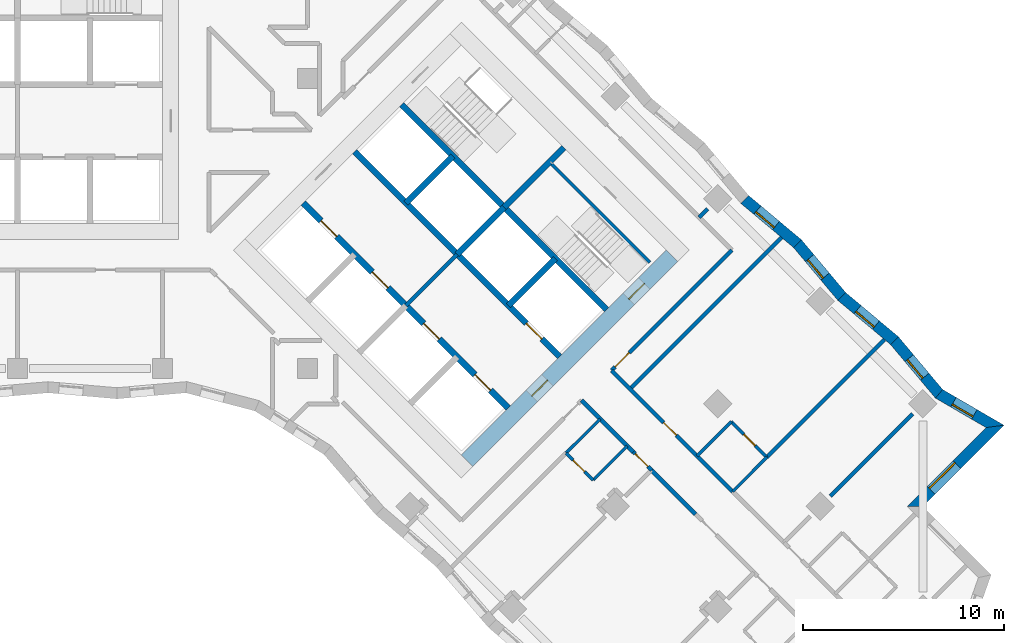
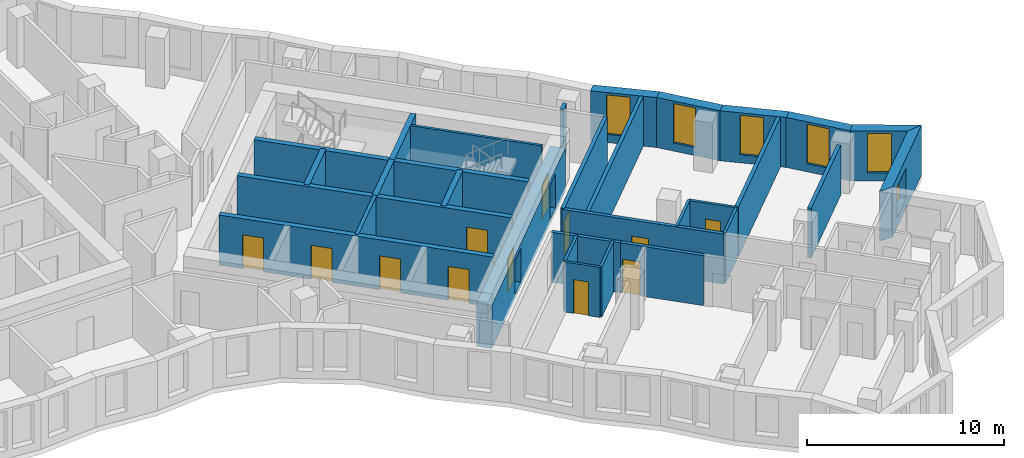
# One storey, part 9 of 12: 32 walls, 12 doors, 6 windows, 18 openings.
"""IFC4 building model written with IfcOpenShell, lengths in metres."""

from ifc_helpers import new_model, si_unit, direction, frame, frame_2d, origin, place, context, subcontext, project, spatial, polyline, rectangle, outline, extrude, material, layer, layer_set, type_object, element, fill, save


model = new_model("IFC4")

# Units and contexts
model_context = context("Model", 3, precision=1e-05, world=origin(), true_north=direction((0.0, 1.0)))
body_context = subcontext(model_context, "Body", "Model", "MODEL_VIEW")
ifc_project = project(units=[si_unit("LENGTHUNIT", "METRE"), si_unit("AREAUNIT", "SQUARE_METRE"), si_unit("VOLUMEUNIT", "CUBIC_METRE"), si_unit("PLANEANGLEUNIT", "RADIAN"), si_unit("MASSUNIT", "GRAM", prefix="KILO")], contexts=[model_context])

# Site, building, storey
site_placement = place(None, origin())
site = spatial("IfcSite", under=ifc_project, at=site_placement, CompositionType="ELEMENT")
building_placement = place(site_placement, origin())
building = spatial("IfcBuilding", under=site, at=building_placement, Name="Windrow Commons", CompositionType="ELEMENT")
storey_placement = place(building_placement, frame((0.0, 0.0, 81.2)))
storey = spatial("IfcBuildingStorey", under=building, at=storey_placement, Name="L21", CompositionType="ELEMENT", Elevation=81.2)

# Wall, opening, window
ifc_material_1 = material(Name="Brick masonry, red clay brick", Category="masonry")
ifc_layer_1 = layer(ifc_material_1, 0.55)
ifc_layer_set_1 = layer_set([ifc_layer_1], Name="Brick facade wall 550")
wall_type_1 = type_object("IfcWallType", Name="Brick facade wall 550", PredefinedType="SOLIDWALL", material=ifc_layer_set_1)
wall_1_placement = place(storey_placement, frame((109.3581, 36.3618, 0.0), z_axis=(0.0, 0.0, 1.0), x_axis=(0.7071067812, 0.7071067812, 0.0)))
wall_1 = element("IfcWall", 1, at=wall_1_placement, inside=storey, type_object=wall_type_1, Name="Brick facade wall L21 6", PredefinedType="SOLIDWALL", context=body_context, shape_type="SweptSolid", body=[
    extrude(outline(polyline([(0.275, -0.275), (5.975, -0.275), (5.2607, 0.275), (-0.275, 0.275), (0.275, -0.275)])), origin(), (0.0, 0.0, 1.0), 3.1),
])
opening_1_placement = place(wall_1_placement, frame((1.1375, 0.0, 0.6)))
opening_1 = element("IfcOpeningElement", 2, at=opening_1_placement, cuts=wall_1, Name="Opening W1L", PredefinedType="OPENING", context=body_context, shape_type="SweptSolid", body=[
    extrude(rectangle(XDim=1.8, YDim=1.9, at=frame_2d((0.9, 0.95))), frame((0.0, 0.285, 0.0), z_axis=(0.0, -1.0, 0.0), x_axis=(1.0, 0.0, 0.0)), (0.0, 0.0, 1.0), 0.57),
])
ifc_material_2 = material(Name="Clear float glass in anodised aluminium frame", Category="aluminium")
window_type_1 = type_object("IfcWindowType", Name="Window W1L bedroom 1800x1900", PartitioningType="SINGLE_PANEL", PredefinedType="WINDOW", material=ifc_material_2)
window_1_placement = place(opening_1_placement, origin())
window_1 = element("IfcWindow", 3, at=window_1_placement, inside=storey, type_object=window_type_1, Name="Window L21 6.1", OverallHeight=1.9, OverallWidth=1.8, PartitioningType="SINGLE_PANEL", PredefinedType="WINDOW", context=body_context, shape_type="SweptSolid", body=[
    extrude(rectangle(XDim=1.8, YDim=1.9, at=frame_2d((0.9, 0.95))), frame((0.0, 0.155, 0.0), z_axis=(0.0, -1.0, 0.0), x_axis=(1.0, 0.0, 0.0)), (0.0, 0.0, 1.0), 0.06),
])
fill(opening_1, window_1)

wall_2_placement = place(storey_placement, frame((113.3305, 40.3342, 0.0), z_axis=(0.0, 0.0, 1.0), x_axis=(-0.8643225085, 0.5029379696, 0.0)))
wall_2 = element("IfcWall", 4, at=wall_2_placement, inside=storey, type_object=wall_type_1, Name="Brick facade wall L21 7", PredefinedType="SOLIDWALL", context=body_context, shape_type="SweptSolid", body=[
    extrude(outline(polyline([(-0.3571, -0.275), (3.1648, -0.275), (3.261, 0.275), (0.3571, 0.275), (-0.3571, -0.275)])), origin(), (0.0, 0.0, 1.0), 3.1),
])
opening_2_placement = place(wall_2_placement, frame((1.185, 0.0, 0.5)))
opening_2 = element("IfcOpeningElement", 5, at=opening_2_placement, cuts=wall_2, Name="Opening W7D", PredefinedType="OPENING", context=body_context, shape_type="SweptSolid", body=[
    extrude(rectangle(XDim=1.2, YDim=2.45, at=frame_2d((0.6, 1.225))), frame((0.0, 0.285, 0.0), z_axis=(0.0, -1.0, 0.0), x_axis=(1.0, 0.0, 0.0)), (0.0, 0.0, 1.0), 0.57),
])
ifc_material_3 = material(Name="Clear float glass in anodised aluminium frame", Category="aluminium")
window_type_2 = type_object("IfcWindowType", Name="Window W7 notch 1200x2450", PartitioningType="SINGLE_PANEL", PredefinedType="WINDOW", material=ifc_material_3)
window_2_placement = place(opening_2_placement, origin())
window_2 = element("IfcWindow", 6, at=window_2_placement, inside=storey, type_object=window_type_2, Name="Window L21 7.1", OverallHeight=2.45, OverallWidth=1.2, PartitioningType="SINGLE_PANEL", PredefinedType="WINDOW", context=body_context, shape_type="SweptSolid", body=[
    extrude(rectangle(XDim=1.2, YDim=2.45, at=frame_2d((0.6, 1.225))), frame((0.0, 0.155, 0.0), z_axis=(0.0, -1.0, 0.0), x_axis=(1.0, 0.0, 0.0)), (0.0, 0.0, 1.0), 0.06),
])
fill(opening_2, window_2)

wall_3_placement = place(storey_placement, frame((110.5535, 41.9501, 0.0), z_axis=(0.0, 0.0, 1.0), x_axis=(-0.6423052098, 0.766448966, 0.0)))
wall_3 = element("IfcWall", 7, at=wall_3_placement, inside=storey, type_object=wall_type_1, Name="Brick facade wall L21 8", PredefinedType="SOLIDWALL", context=body_context, shape_type="SweptSolid", body=[
    extrude(outline(polyline([(0.0481, -0.275), (3.4663, -0.275), (3.4178, 0.275), (-0.0481, 0.275), (0.0481, -0.275)])), origin(), (0.0, 0.0, 1.0), 3.1),
])
opening_3_placement = place(wall_3_placement, frame((1.1089, 0.0, 0.5)))
opening_3 = element("IfcOpeningElement", 8, at=opening_3_placement, cuts=wall_3, Name="Opening W7D", PredefinedType="OPENING", context=body_context, shape_type="SweptSolid", body=[
    extrude(rectangle(XDim=1.2, YDim=2.45, at=frame_2d((0.6, 1.225))), frame((0.0, 0.285, 0.0), z_axis=(0.0, -1.0, 0.0), x_axis=(1.0, 0.0, 0.0)), (0.0, 0.0, 1.0), 0.57),
])
window_3_placement = place(opening_3_placement, origin())
window_3 = element("IfcWindow", 9, at=window_3_placement, inside=storey, type_object=window_type_2, Name="Window L21 8.1", OverallHeight=2.45, OverallWidth=1.2, PartitioningType="SINGLE_PANEL", PredefinedType="WINDOW", context=body_context, shape_type="SweptSolid", body=[
    extrude(rectangle(XDim=1.2, YDim=2.45, at=frame_2d((0.6, 1.225))), frame((0.0, 0.155, 0.0), z_axis=(0.0, -1.0, 0.0), x_axis=(1.0, 0.0, 0.0)), (0.0, 0.0, 1.0), 0.06),
])
fill(opening_3, window_3)

wall_4_placement = place(storey_placement, frame((108.3427, 44.5882, 0.0), z_axis=(0.0, 0.0, 1.0), x_axis=(-0.7664414628, 0.6423141631, 0.0)))
wall_4 = element("IfcWall", 10, at=wall_4_placement, inside=storey, type_object=wall_type_1, Name="Brick facade wall L21 9", PredefinedType="SOLIDWALL", context=body_context, shape_type="SweptSolid", body=[
    extrude(outline(polyline([(-0.0242, -0.275), (3.3939, -0.275), (3.4424, 0.275), (0.0242, 0.275), (-0.0242, -0.275)])), origin(), (0.0, 0.0, 1.0), 3.1),
])
opening_4_placement = place(wall_4_placement, frame((1.2049, 0.0, 0.5)))
opening_4 = element("IfcOpeningElement", 11, at=opening_4_placement, cuts=wall_4, Name="Opening W7D", PredefinedType="OPENING", context=body_context, shape_type="SweptSolid", body=[
    extrude(rectangle(XDim=1.2, YDim=2.45, at=frame_2d((0.6, 1.225))), frame((0.0, 0.285, 0.0), z_axis=(0.0, -1.0, 0.0), x_axis=(1.0, 0.0, 0.0)), (0.0, 0.0, 1.0), 0.57),
])
window_4_placement = place(opening_4_placement, origin())
window_4 = element("IfcWindow", 12, at=window_4_placement, inside=storey, type_object=window_type_2, Name="Window L21 9.1", OverallHeight=2.45, OverallWidth=1.2, PartitioningType="SINGLE_PANEL", PredefinedType="WINDOW", context=body_context, shape_type="SweptSolid", body=[
    extrude(rectangle(XDim=1.2, YDim=2.45, at=frame_2d((0.6, 1.225))), frame((0.0, 0.155, 0.0), z_axis=(0.0, -1.0, 0.0), x_axis=(1.0, 0.0, 0.0)), (0.0, 0.0, 1.0), 0.06),
])
fill(opening_4, window_4)

wall_5_placement = place(storey_placement, frame((105.7228, 46.7838, 0.0), z_axis=(0.0, 0.0, 1.0), x_axis=(-0.6423113798, 0.7664437954, 0.0)))
wall_5 = element("IfcWall", 13, at=wall_5_placement, inside=storey, type_object=wall_type_1, Name="Brick facade wall L21 10", PredefinedType="SOLIDWALL", context=body_context, shape_type="SweptSolid", body=[
    extrude(outline(polyline([(0.0242, -0.275), (3.4424, -0.275), (3.3939, 0.275), (-0.0242, 0.275), (0.0242, -0.275)])), origin(), (0.0, 0.0, 1.0), 3.1),
])
opening_5_placement = place(wall_5_placement, frame((1.2906, 0.0, 0.5)))
opening_5 = element("IfcOpeningElement", 14, at=opening_5_placement, cuts=wall_5, Name="Opening W7D", PredefinedType="OPENING", context=body_context, shape_type="SweptSolid", body=[
    extrude(rectangle(XDim=1.2, YDim=2.45, at=frame_2d((0.6, 1.225))), frame((0.0, 0.285, 0.0), z_axis=(0.0, -1.0, 0.0), x_axis=(1.0, 0.0, 0.0)), (0.0, 0.0, 1.0), 0.57),
])
window_5_placement = place(opening_5_placement, origin())
window_5 = element("IfcWindow", 15, at=window_5_placement, inside=storey, type_object=window_type_2, Name="Window L21 10.1", OverallHeight=2.45, OverallWidth=1.2, PartitioningType="SINGLE_PANEL", PredefinedType="WINDOW", context=body_context, shape_type="SweptSolid", body=[
    extrude(rectangle(XDim=1.2, YDim=2.45, at=frame_2d((0.6, 1.225))), frame((0.0, 0.155, 0.0), z_axis=(0.0, -1.0, 0.0), x_axis=(1.0, 0.0, 0.0)), (0.0, 0.0, 1.0), 0.06),
])
fill(opening_5, window_5)

wall_6_placement = place(storey_placement, frame((103.5273, 49.4036, 0.0), z_axis=(0.0, 0.0, 1.0), x_axis=(-0.7664293929, 0.6423285652, 0.0)))
wall_6 = element("IfcWall", 16, at=wall_6_placement, inside=storey, type_object=wall_type_1, Name="Brick facade wall L21 11", PredefinedType="SOLIDWALL", context=body_context, shape_type="SweptSolid", body=[
    extrude(outline(polyline([(-0.0242, -0.275), (3.3939, -0.275), (3.4424, 0.275), (0.0242, 0.275), (-0.0242, -0.275)])), origin(), (0.0, 0.0, 1.0), 3.1),
])
opening_6_placement = place(wall_6_placement, frame((1.4006, 0.0, 0.5)))
opening_6 = element("IfcOpeningElement", 17, at=opening_6_placement, cuts=wall_6, Name="Opening W7D", PredefinedType="OPENING", context=body_context, shape_type="SweptSolid", body=[
    extrude(rectangle(XDim=1.2, YDim=2.45, at=frame_2d((0.6, 1.225))), frame((0.0, 0.285, 0.0), z_axis=(0.0, -1.0, 0.0), x_axis=(1.0, 0.0, 0.0)), (0.0, 0.0, 1.0), 0.57),
])
window_6_placement = place(opening_6_placement, origin())
window_6 = element("IfcWindow", 18, at=window_6_placement, inside=storey, type_object=window_type_2, Name="Window L21 11.1", OverallHeight=2.45, OverallWidth=1.2, PartitioningType="SINGLE_PANEL", PredefinedType="WINDOW", context=body_context, shape_type="SweptSolid", body=[
    extrude(rectangle(XDim=1.2, YDim=2.45, at=frame_2d((0.6, 1.225))), frame((0.0, 0.155, 0.0), z_axis=(0.0, -1.0, 0.0), x_axis=(1.0, 0.0, 0.0)), (0.0, 0.0, 1.0), 0.06),
])
fill(opening_6, window_6)

# Wall
ifc_material_4 = material(Name="Blockwork partition", Category="masonry")
ifc_layer_2 = layer(ifc_material_4, 0.2)
ifc_layer_set_2 = layer_set([ifc_layer_2], Name="Fire lobby partition 200")
wall_type_2 = type_object("IfcWallType", Name="Fire lobby partition 200", PredefinedType="PARTITIONING", material=ifc_layer_set_2)
wall_7_placement = place(storey_placement, frame((84.079, 46.332, 0.0), z_axis=(0.0, 0.0, 1.0), x_axis=(0.7071067812, 0.7071067812, 0.0)))
element("IfcWall", 19, at=wall_7_placement, inside=storey, type_object=wall_type_2, Name="W-core-lobby-B-L21", PredefinedType="PARTITIONING", context=body_context, shape_type="SweptSolid", body=[
    extrude(rectangle(XDim=3.6, YDim=0.2, at=frame_2d((1.8, 0.0))), origin(), (0.0, 0.0, 1.0), 3.1),
])

# Wall, opening, door
ifc_material_5 = material(Name="Blockwork partition", Category="masonry")
ifc_layer_3 = layer(ifc_material_5, 0.2)
ifc_layer_set_3 = layer_set([ifc_layer_3], Name="IW-CORRIDOR-200")
wall_type_3 = type_object("IfcWallType", Name="IW-CORRIDOR-200", PredefinedType="PARTITIONING", material=ifc_layer_set_3)
wall_8_placement = place(storey_placement, frame((94.2945, 43.1105, 0.0), z_axis=(0.0, 0.0, 1.0), x_axis=(0.7071067812, -0.7071067812, 0.0)))
wall_8 = element("IfcWall", 20, at=wall_8_placement, inside=storey, type_object=wall_type_3, Name="W-L21-W008", PredefinedType="PARTITIONING", context=body_context, shape_type="SweptSolid", body=[
    extrude(rectangle(XDim=8.4994, YDim=0.2, at=frame_2d((4.2497, 0.0))), origin(), (0.0, 0.0, 1.0), 3.1),
])
opening_7_placement = place(wall_8_placement, frame((3.6515, 0.0, 0.0)))
opening_7 = element("IfcOpeningElement", 21, at=opening_7_placement, cuts=wall_8, Name="Opening D109F", PredefinedType="OPENING", context=body_context, shape_type="SweptSolid", body=[
    extrude(rectangle(XDim=0.9, YDim=2.1, at=frame_2d((0.45, 1.05))), frame((0.0, 0.11, 0.0), z_axis=(0.0, -1.0, 0.0), x_axis=(1.0, 0.0, 0.0)), (0.0, 0.0, 1.0), 0.22),
])
ifc_material_6 = material(Name="Timber door leaf", Category="wood")
door_type_1 = type_object("IfcDoorType", Name="DT-BEDROOM-900", OperationType="SINGLE_SWING_LEFT", PredefinedType="DOOR", material=ifc_material_6)
door_1_placement = place(opening_7_placement, origin())
door_1 = element("IfcDoor", 22, at=door_1_placement, inside=storey, type_object=door_type_1, Name="D-L21-D043", OperationType="SINGLE_SWING_RIGHT", OverallHeight=2.1, OverallWidth=0.9, PredefinedType="DOOR", context=body_context, shape_type="SweptSolid", body=[
    extrude(rectangle(XDim=0.9, YDim=2.1, at=frame_2d((0.45, 1.05))), frame((0.0, 0.025, 0.0), z_axis=(0.0, -1.0, 0.0), x_axis=(1.0, 0.0, 0.0)), (0.0, 0.0, 1.0), 0.05),
])
fill(opening_7, door_1)

wall_9_placement = place(storey_placement, frame((94.2972, 43.1168, 0.0), z_axis=(0.0, 0.0, 1.0), x_axis=(0.7071067812, 0.7071067812, 0.0)))
wall_9 = element("IfcWall", 23, at=wall_9_placement, inside=storey, type_object=wall_type_3, Name="W-L21-W010", PredefinedType="PARTITIONING", context=body_context, shape_type="SweptSolid", body=[
    extrude(rectangle(XDim=8.4485, YDim=0.2, at=frame_2d((4.2242, 0.0))), origin(), (0.0, 0.0, 1.0), 3.1),
])
opening_8_placement = place(wall_9_placement, frame((0.2416, 0.0, 0.0)))
opening_8 = element("IfcOpeningElement", 24, at=opening_8_placement, cuts=wall_9, Name="Opening D310F", PredefinedType="OPENING", context=body_context, shape_type="SweptSolid", body=[
    extrude(rectangle(XDim=1.0, YDim=2.1, at=frame_2d((0.5, 1.05))), frame((0.0, 0.11, 0.0), z_axis=(0.0, -1.0, 0.0), x_axis=(1.0, 0.0, 0.0)), (0.0, 0.0, 1.0), 0.22),
])
ifc_material_7 = material(Name="Timber door leaf", Category="wood")
door_type_2 = type_object("IfcDoorType", Name="DT-AMENITY-1000", OperationType="SINGLE_SWING_LEFT", PredefinedType="DOOR", material=ifc_material_7)
door_2_placement = place(opening_8_placement, origin())
door_2 = element("IfcDoor", 25, at=door_2_placement, inside=storey, type_object=door_type_2, Name="D-L21-D042", OperationType="SINGLE_SWING_LEFT", OverallHeight=2.1, OverallWidth=1.0, PredefinedType="DOOR", context=body_context, shape_type="SweptSolid", body=[
    extrude(rectangle(XDim=1.0, YDim=2.1, at=frame_2d((0.5, 1.05))), frame((0.0, 0.025, 0.0), z_axis=(0.0, -1.0, 0.0), x_axis=(1.0, 0.0, 0.0)), (0.0, 0.0, 1.0), 0.05),
])
fill(opening_8, door_2)

# Walls
wall_10_placement = place(storey_placement, frame((92.8086, 41.6266, 0.0), z_axis=(0.0, 0.0, 1.0), x_axis=(0.7071067812, -0.7071067812, 0.0)))
element("IfcWall", 26, at=wall_10_placement, inside=storey, type_object=wall_type_3, Name="W-L21-W057", PredefinedType="PARTITIONING", context=body_context, shape_type="SweptSolid", body=[
    extrude(rectangle(XDim=3.6232, YDim=0.2, at=frame_2d((1.8116, 0.0))), origin(), (0.0, 0.0, 1.0), 3.1),
])
wall_11_placement = place(storey_placement, frame((96.2736, 38.1616, 0.0), z_axis=(0.0, 0.0, 1.0), x_axis=(0.7071067812, -0.7071067812, 0.0)))
element("IfcWall", 27, at=wall_11_placement, inside=storey, type_object=wall_type_3, Name="W-L21-W063", PredefinedType="PARTITIONING", context=body_context, shape_type="SweptSolid", body=[
    extrude(rectangle(XDim=3.1, YDim=0.2, at=frame_2d((1.55, 0.0))), origin(), (0.0, 0.0, 1.0), 3.1),
])

# Wall, opening, door
wall_12_placement = place(storey_placement, frame((95.3748, 39.0688, 0.0), z_axis=(0.0, 0.0, 1.0), x_axis=(0.7063232841, -0.7078894111, 0.0)))
wall_12 = element("IfcWall", 28, at=wall_12_placement, inside=storey, type_object=wall_type_3, Name="W-L21-W147", PredefinedType="PARTITIONING", context=body_context, shape_type="SweptSolid", body=[
    extrude(rectangle(XDim=1.277, YDim=0.2, at=frame_2d((0.6385, 0.0))), origin(), (0.0, 0.0, 1.0), 3.1),
])
opening_9_placement = place(wall_12_placement, frame((0.1285, 0.0, 0.0)))
opening_9 = element("IfcOpeningElement", 29, at=opening_9_placement, cuts=wall_12, Name="Opening D109S", PredefinedType="OPENING", context=body_context, shape_type="SweptSolid", body=[
    extrude(rectangle(XDim=0.9, YDim=2.1, at=frame_2d((0.45, 1.05))), frame((0.0, 0.11, 0.0), z_axis=(0.0, -1.0, 0.0), x_axis=(1.0, 0.0, 0.0)), (0.0, 0.0, 1.0), 0.22),
])
door_3_placement = place(opening_9_placement, origin())
door_3 = element("IfcDoor", 30, at=door_3_placement, inside=storey, type_object=door_type_1, Name="D-L21-D048", OperationType="SINGLE_SWING_LEFT", OverallHeight=2.1, OverallWidth=0.9, PredefinedType="DOOR", context=body_context, shape_type="SweptSolid", body=[
    extrude(rectangle(XDim=0.9, YDim=2.1, at=frame_2d((0.45, 1.05))), frame((0.0, 0.025, 0.0), z_axis=(0.0, -1.0, 0.0), x_axis=(1.0, 0.0, 0.0)), (0.0, 0.0, 1.0), 0.05),
])
fill(opening_9, door_3)

ifc_material_8 = material(Name="Blockwork partition", Category="masonry")
ifc_layer_4 = layer(ifc_material_8, 0.15)
ifc_layer_set_4 = layer_set([ifc_layer_4], Name="IW-ENSUITE-150")
wall_type_4 = type_object("IfcWallType", Name="IW-ENSUITE-150", PredefinedType="PARTITIONING", material=ifc_layer_set_4)
wall_13_placement = place(storey_placement, frame((100.2326, 40.5666, 0.0), z_axis=(0.0, 0.0, 1.0), x_axis=(0.7071067812, -0.7071067812, 0.0)))
wall_13 = element("IfcWall", 31, at=wall_13_placement, inside=storey, type_object=wall_type_4, Name="W-L21-W069", PredefinedType="PARTITIONING", context=body_context, shape_type="SweptSolid", body=[
    extrude(rectangle(XDim=2.5003, YDim=0.15, at=frame_2d((1.2502, 0.0))), origin(), (0.0, 0.0, 1.0), 3.1),
])
opening_10_placement = place(wall_13_placement, frame((0.883, 0.0, 0.0)))
opening_10 = element("IfcOpeningElement", 32, at=opening_10_placement, cuts=wall_13, Name="Opening D208N", PredefinedType="OPENING", context=body_context, shape_type="SweptSolid", body=[
    extrude(rectangle(XDim=0.8, YDim=2.1, at=frame_2d((0.4, 1.05))), frame((0.0, 0.085, 0.0), z_axis=(0.0, -1.0, 0.0), x_axis=(1.0, 0.0, 0.0)), (0.0, 0.0, 1.0), 0.17),
])
ifc_material_9 = material(Name="Timber door leaf", Category="wood")
door_type_3 = type_object("IfcDoorType", Name="DT-ENSUITE-800", OperationType="SINGLE_SWING_LEFT", PredefinedType="DOOR", material=ifc_material_9)
door_4_placement = place(opening_10_placement, origin())
door_4 = element("IfcDoor", 33, at=door_4_placement, inside=storey, type_object=door_type_3, Name="D-L21-D044", OperationType="SINGLE_SWING_RIGHT", OverallHeight=2.1, OverallWidth=0.8, PredefinedType="DOOR", context=body_context, shape_type="SweptSolid", body=[
    extrude(rectangle(XDim=0.8, YDim=2.1, at=frame_2d((0.4, 1.05))), frame((0.0, 0.025, 0.0), z_axis=(0.0, -1.0, 0.0), x_axis=(1.0, 0.0, 0.0)), (0.0, 0.0, 1.0), 0.05),
])
fill(opening_10, door_4)

# Walls
for number, where, z_axis, x_axis, name in (
    (34, (92.0367, 39.0113, 0.0), (0.0, 0.0, 1.0), (0.7075233388, 0.706689978, 0.0), "W-L21-W091"),
    (35, (93.3808, 37.6672, 0.0), (0.0, 0.0, 1.0), (0.706689978, 0.7075233388, 0.0), "W-L21-W092"),
    (36, (98.5408, 38.8712, 0.0), (0.0, 0.0, 1.0), (0.706689978, 0.7075233388, 0.0), "W-L21-W093"),
    (37, (100.3085, 37.1035, 0.0), (0.0, 0.0, 1.0), (0.706689978, 0.7075233388, 0.0), "W-L21-W094"),
):
    element("IfcWall", number, at=place(storey_placement, frame(where, z_axis=z_axis, x_axis=x_axis)), inside=storey, type_object=wall_type_4, Name=name, PredefinedType="PARTITIONING", context=body_context, shape_type="SweptSolid", body=[
        extrude(rectangle(XDim=2.3999, YDim=0.15, at=frame_2d((1.2, 0.0))), origin(), (0.0, 0.0, 1.0), 3.1),
    ])

# Wall, opening, door
wall_14_placement = place(storey_placement, frame((92.0305, 39.0105, 0.0), z_axis=(0.0, 0.0, 1.0), x_axis=(0.7071067812, -0.7071067812, 0.0)))
wall_14 = element("IfcWall", 38, at=wall_14_placement, inside=storey, type_object=wall_type_4, Name="W-L21-W124", PredefinedType="PARTITIONING", context=body_context, shape_type="SweptSolid", body=[
    extrude(rectangle(XDim=1.9007, YDim=0.15, at=frame_2d((0.9504, 0.0))), origin(), (0.0, 0.0, 1.0), 3.1),
])
opening_11_placement = place(wall_14_placement, frame((0.5024, 0.0, 0.0)))
opening_11 = element("IfcOpeningElement", 39, at=opening_11_placement, cuts=wall_14, Name="Opening D208N", PredefinedType="OPENING", context=body_context, shape_type="SweptSolid", body=[
    extrude(rectangle(XDim=0.8, YDim=2.1, at=frame_2d((0.4, 1.05))), frame((0.0, 0.085, 0.0), z_axis=(0.0, -1.0, 0.0), x_axis=(1.0, 0.0, 0.0)), (0.0, 0.0, 1.0), 0.17),
])
door_5_placement = place(opening_11_placement, origin())
door_5 = element("IfcDoor", 40, at=door_5_placement, inside=storey, type_object=door_type_3, Name="D-L21-D049", OperationType="SINGLE_SWING_RIGHT", OverallHeight=2.1, OverallWidth=0.8, PredefinedType="DOOR", context=body_context, shape_type="SweptSolid", body=[
    extrude(rectangle(XDim=0.8, YDim=2.1, at=frame_2d((0.4, 1.05))), frame((0.0, 0.025, 0.0), z_axis=(0.0, -1.0, 0.0), x_axis=(1.0, 0.0, 0.0)), (0.0, 0.0, 1.0), 0.05),
])
fill(opening_11, door_5)

# Walls
ifc_material_10 = material(Name="Blockwork partition", Category="masonry")
ifc_layer_5 = layer(ifc_material_10, 0.2)
ifc_layer_set_5 = layer_set([ifc_layer_5], Name="IW-PARTY-200")
wall_type_5 = type_object("IfcWallType", Name="IW-PARTY-200", PredefinedType="PARTITIONING", material=ifc_layer_set_5)
wall_15_placement = place(storey_placement, frame((95.2154, 42.1966, 0.0), z_axis=(0.0, 0.0, 1.0), x_axis=(0.7071114855, 0.7071020769, 0.0)))
element("IfcWall", 41, at=wall_15_placement, inside=storey, type_object=wall_type_5, Name="W-L21-W006", PredefinedType="PARTITIONING", context=body_context, shape_type="SweptSolid", body=[
    extrude(rectangle(XDim=10.6286, YDim=0.2, at=frame_2d((5.3143, 0.0))), origin(), (0.0, 0.0, 1.0), 3.1),
])
wall_16_placement = place(storey_placement, frame((102.002, 38.804, 0.0), z_axis=(0.0, 0.0, 1.0), x_axis=(0.7072398927, 0.7069736446, 0.0)))
element("IfcWall", 42, at=wall_16_placement, inside=storey, type_object=wall_type_5, Name="W-L21-W012", PredefinedType="PARTITIONING", context=body_context, shape_type="SweptSolid", body=[
    extrude(rectangle(XDim=8.263, YDim=0.2, at=frame_2d((4.1315, 0.0))), origin(), (0.0, 0.0, 1.0), 3.1),
])
wall_17_placement = place(storey_placement, frame((105.1552, 36.8628, 0.0), z_axis=(0.0, 0.0, 1.0), x_axis=(0.7071067812, 0.7071067812, 0.0)))
element("IfcWall", 43, at=wall_17_placement, inside=storey, type_object=wall_type_5, Name="W-L21-W030", PredefinedType="PARTITIONING", context=body_context, shape_type="SweptSolid", body=[
    extrude(rectangle(XDim=5.787, YDim=0.2, at=frame_2d((2.8935, 0.0))), origin(), (0.0, 0.0, 1.0), 3.1),
])
wall_18_placement = place(storey_placement, frame((98.6435, 50.7185, 0.0), z_axis=(0.0, 0.0, 1.0), x_axis=(0.7054171665, 0.7087923682, 0.0)))
element("IfcWall", 44, at=wall_18_placement, inside=storey, type_object=wall_type_5, Name="W-L21-W160", PredefinedType="PARTITIONING", context=body_context, shape_type="SweptSolid", body=[
    extrude(rectangle(XDim=0.5926, YDim=0.2, at=frame_2d((0.2963, 0.0))), origin(), (0.0, 0.0, 1.0), 3.1),
])

# Wall, openings, doors
ifc_material_11 = material(Name="Concrete C50/60", Category="concrete")
ifc_layer_6 = layer(ifc_material_11, 0.8)
ifc_layer_set_6 = layer_set([ifc_layer_6], Name="RC CORE WALL 800 C50/60")
wall_type_6 = type_object("IfcWallType", Name="RC CORE WALL 800 C50/60", PredefinedType="SHEAR", material=ifc_layer_set_6)
wall_19_placement = place(storey_placement, frame((87.1196, 38.6246, -0.3), z_axis=(0.0, 0.0, 1.0), x_axis=(0.7071067812, 0.7071067812, 0.0)))
wall_19 = element("IfcWall", 45, at=wall_19_placement, inside=storey, type_object=wall_type_6, Name="Core B wall outer-E", PredefinedType="SHEAR", context=body_context, shape_type="SweptSolid", body=[
    extrude(rectangle(XDim=14.3999, YDim=0.8, at=frame_2d((7.2, 0.0))), origin(), (0.0, 0.0, 1.0), 2.7),
])
opening_12_placement = place(wall_19_placement, frame((4.55, 0.0, 0.3)))
opening_12 = element("IfcOpeningElement", 46, at=opening_12_placement, cuts=wall_19, Name="Opening D6", PredefinedType="OPENING", context=body_context, shape_type="SweptSolid", body=[
    extrude(rectangle(XDim=1.1, YDim=2.1, at=frame_2d((0.55, 1.05))), frame((0.0, 0.41, 0.0), z_axis=(0.0, -1.0, 0.0), x_axis=(1.0, 0.0, 0.0)), (0.0, 0.0, 1.0), 0.82),
])
opening_13_placement = place(wall_19_placement, frame((11.35, 0.0, 0.3)))
opening_13 = element("IfcOpeningElement", 47, at=opening_13_placement, cuts=wall_19, Name="Opening D7", PredefinedType="OPENING", context=body_context, shape_type="SweptSolid", body=[
    extrude(rectangle(XDim=1.1, YDim=2.1, at=frame_2d((0.55, 1.05))), frame((0.0, 0.41, 0.0), z_axis=(0.0, -1.0, 0.0), x_axis=(1.0, 0.0, 0.0)), (0.0, 0.0, 1.0), 0.82),
])
ifc_material_12 = material(Name="Steel fire door leaf", Category="steel")
door_type_4 = type_object("IfcDoorType", Name="Core lobby door 1100", OperationType="SINGLE_SWING_LEFT", PredefinedType="DOOR", material=ifc_material_12)
door_6_placement = place(opening_12_placement, origin())
door_6 = element("IfcDoor", 48, at=door_6_placement, inside=storey, type_object=door_type_4, Name="Lift lobby door", OperationType="DOUBLE_DOOR_SINGLE_SWING", OverallHeight=2.1, OverallWidth=1.1, PredefinedType="DOOR", context=body_context, shape_type="SweptSolid", body=[
    extrude(rectangle(XDim=1.1, YDim=2.1, at=frame_2d((0.55, 1.05))), frame((0.0, 0.025, 0.0), z_axis=(0.0, -1.0, 0.0), x_axis=(1.0, 0.0, 0.0)), (0.0, 0.0, 1.0), 0.05),
])
fill(opening_12, door_6)
ifc_material_13 = material(Name="Steel fire door leaf", Category="steel")
door_type_5 = type_object("IfcDoorType", Name="Stair door 1100", OperationType="SINGLE_SWING_LEFT", PredefinedType="DOOR", material=ifc_material_13)
door_7_placement = place(opening_13_placement, origin())
door_7 = element("IfcDoor", 49, at=door_7_placement, inside=storey, type_object=door_type_5, Name="Stair door", OperationType="SINGLE_SWING_RIGHT", OverallHeight=2.1, OverallWidth=1.1, PredefinedType="DOOR", context=body_context, shape_type="SweptSolid", body=[
    extrude(rectangle(XDim=1.1, YDim=2.1, at=frame_2d((0.55, 1.05))), frame((0.0, 0.025, 0.0), z_axis=(0.0, -1.0, 0.0), x_axis=(1.0, 0.0, 0.0)), (0.0, 0.0, 1.0), 0.05),
])
fill(opening_13, door_7)

# Walls
ifc_material_14 = material(Name="Concrete C50/60", Category="concrete")
ifc_layer_7 = layer(ifc_material_14, 0.3)
ifc_layer_set_7 = layer_set([ifc_layer_7], Name="RC SHAFT WALL 300 C50/60")
wall_type_7 = type_object("IfcWallType", Name="RC SHAFT WALL 300 C50/60", PredefinedType="SOLIDWALL", material=ifc_layer_set_7)
wall_20_placement = place(storey_placement, frame((84.079, 51.4232, 0.0), z_axis=(0.0, 0.0, 1.0), x_axis=(0.7071219326, 0.7070916295, 0.0)))
element("IfcWall", 50, at=wall_20_placement, inside=storey, type_object=wall_type_7, Name="Core B wall shaft-N1", PredefinedType="SOLIDWALL", context=body_context, shape_type="SweptSolid", body=[
    extrude(rectangle(XDim=3.3, YDim=0.3, at=frame_2d((1.65, 0.0))), origin(), (0.0, 0.0, 1.0), 3.1),
])
for number, where, z_axis, x_axis, name in (
    (51, (86.6246, 48.8776, 0.0), (0.0, 0.0, 1.0), (0.7071067812, 0.7071067812, 0.0), "Core B wall shaft-N2"),
    (52, (89.1702, 46.332, 0.0), (0.0, 0.0, 1.0), (0.7071067812, 0.7071067812, 0.0), "Core B wall shaft-N3"),
):
    element("IfcWall", number, at=place(storey_placement, frame(where, z_axis=z_axis, x_axis=x_axis)), inside=storey, type_object=wall_type_7, Name=name, PredefinedType="SOLIDWALL", context=body_context, shape_type="SweptSolid", body=[
        extrude(rectangle(XDim=3.3001, YDim=0.3, at=frame_2d((1.6501, 0.0))), origin(), (0.0, 0.0, 1.0), 3.1),
    ])

# Wall, openings, doors
wall_21_placement = place(storey_placement, frame((78.9879, 51.4232, 0.0), z_axis=(0.0, 0.0, 1.0), x_axis=(0.7071067812, -0.7071067812, 0.0)))
wall_21 = element("IfcWall", 53, at=wall_21_placement, inside=storey, type_object=wall_type_7, Name="Core B wall lobby-S", PredefinedType="SOLIDWALL", context=body_context, shape_type="SweptSolid", body=[
    extrude(rectangle(XDim=14.3999, YDim=0.3, at=frame_2d((7.2, 0.0))), origin(), (0.0, 0.0, 1.0), 3.1),
])
opening_14_placement = place(wall_21_placement, frame((1.25, 0.0, 0.0)))
opening_14 = element("IfcOpeningElement", 54, at=opening_14_placement, cuts=wall_21, Name="Opening LD", PredefinedType="OPENING", context=body_context, shape_type="SweptSolid", body=[
    extrude(rectangle(XDim=1.1, YDim=2.1, at=frame_2d((0.55, 1.05))), frame((0.0, 0.16, 0.0), z_axis=(0.0, -1.0, 0.0), x_axis=(1.0, 0.0, 0.0)), (0.0, 0.0, 1.0), 0.32),
])
opening_15_placement = place(wall_21_placement, frame((4.85, 0.0, 0.0)))
opening_15 = element("IfcOpeningElement", 55, at=opening_15_placement, cuts=wall_21, Name="Opening LD", PredefinedType="OPENING", context=body_context, shape_type="SweptSolid", body=[
    extrude(rectangle(XDim=1.1, YDim=2.1, at=frame_2d((0.55, 1.05))), frame((0.0, 0.16, 0.0), z_axis=(0.0, -1.0, 0.0), x_axis=(1.0, 0.0, 0.0)), (0.0, 0.0, 1.0), 0.32),
])
opening_16_placement = place(wall_21_placement, frame((8.45, 0.0, 0.0)))
opening_16 = element("IfcOpeningElement", 56, at=opening_16_placement, cuts=wall_21, Name="Opening LD", PredefinedType="OPENING", context=body_context, shape_type="SweptSolid", body=[
    extrude(rectangle(XDim=1.1, YDim=2.1, at=frame_2d((0.55, 1.05))), frame((0.0, 0.16, 0.0), z_axis=(0.0, -1.0, 0.0), x_axis=(1.0, 0.0, 0.0)), (0.0, 0.0, 1.0), 0.32),
])
opening_17_placement = place(wall_21_placement, frame((12.05, 0.0, 0.0)))
opening_17 = element("IfcOpeningElement", 57, at=opening_17_placement, cuts=wall_21, Name="Opening LD", PredefinedType="OPENING", context=body_context, shape_type="SweptSolid", body=[
    extrude(rectangle(XDim=1.1, YDim=2.1, at=frame_2d((0.55, 1.05))), frame((0.0, 0.16, 0.0), z_axis=(0.0, -1.0, 0.0), x_axis=(1.0, 0.0, 0.0)), (0.0, 0.0, 1.0), 0.32),
])
ifc_material_15 = material(Name="Stainless steel door leaf", Category="steel")
door_type_6 = type_object("IfcDoorType", Name="Lift landing door 1100", OperationType="SLIDING_TO_LEFT", PredefinedType="DOOR", material=ifc_material_15)
door_8_placement = place(opening_14_placement, origin())
door_8 = element("IfcDoor", 58, at=door_8_placement, inside=storey, type_object=door_type_6, Name="Lift landing door", OperationType="SLIDING_TO_LEFT", OverallHeight=2.1, OverallWidth=1.1, PredefinedType="DOOR", context=body_context, shape_type="SweptSolid", body=[
    extrude(rectangle(XDim=1.1, YDim=2.1, at=frame_2d((0.55, 1.05))), frame((0.0, 0.025, 0.0), z_axis=(0.0, -1.0, 0.0), x_axis=(1.0, 0.0, 0.0)), (0.0, 0.0, 1.0), 0.05),
])
fill(opening_14, door_8)
door_9_placement = place(opening_15_placement, origin())
door_9 = element("IfcDoor", 59, at=door_9_placement, inside=storey, type_object=door_type_6, Name="Lift landing door", OperationType="SLIDING_TO_RIGHT", OverallHeight=2.1, OverallWidth=1.1, PredefinedType="DOOR", context=body_context, shape_type="SweptSolid", body=[
    extrude(rectangle(XDim=1.1, YDim=2.1, at=frame_2d((0.55, 1.05))), frame((0.0, 0.025, 0.0), z_axis=(0.0, -1.0, 0.0), x_axis=(1.0, 0.0, 0.0)), (0.0, 0.0, 1.0), 0.05),
])
fill(opening_15, door_9)
door_10_placement = place(opening_16_placement, origin())
door_10 = element("IfcDoor", 60, at=door_10_placement, inside=storey, type_object=door_type_6, Name="Lift landing door", OperationType="SLIDING_TO_LEFT", OverallHeight=2.1, OverallWidth=1.1, PredefinedType="DOOR", context=body_context, shape_type="SweptSolid", body=[
    extrude(rectangle(XDim=1.1, YDim=2.1, at=frame_2d((0.55, 1.05))), frame((0.0, 0.025, 0.0), z_axis=(0.0, -1.0, 0.0), x_axis=(1.0, 0.0, 0.0)), (0.0, 0.0, 1.0), 0.05),
])
fill(opening_16, door_10)
door_11_placement = place(opening_17_placement, origin())
door_11 = element("IfcDoor", 61, at=door_11_placement, inside=storey, type_object=door_type_6, Name="Lift landing door", OperationType="SLIDING_TO_RIGHT", OverallHeight=2.1, OverallWidth=1.1, PredefinedType="DOOR", context=body_context, shape_type="SweptSolid", body=[
    extrude(rectangle(XDim=1.1, YDim=2.1, at=frame_2d((0.55, 1.05))), frame((0.0, 0.025, 0.0), z_axis=(0.0, -1.0, 0.0), x_axis=(1.0, 0.0, 0.0)), (0.0, 0.0, 1.0), 0.05),
])
fill(opening_17, door_11)

# Wall, opening, door
wall_22_placement = place(storey_placement, frame((81.5335, 53.9688, 0.0), z_axis=(0.0, 0.0, 1.0), x_axis=(0.707103309, -0.7071102534, 0.0)))
wall_22 = element("IfcWall", 62, at=wall_22_placement, inside=storey, type_object=wall_type_7, Name="Core B wall lobby-N", PredefinedType="SOLIDWALL", context=body_context, shape_type="SweptSolid", body=[
    extrude(rectangle(XDim=14.4, YDim=0.3, at=frame_2d((7.2, 0.0))), origin(), (0.0, 0.0, 1.0), 3.1),
])
opening_18_placement = place(wall_22_placement, frame((12.05, 0.0, 0.0)))
opening_18 = element("IfcOpeningElement", 63, at=opening_18_placement, cuts=wall_22, Name="Opening LD", PredefinedType="OPENING", context=body_context, shape_type="SweptSolid", body=[
    extrude(rectangle(XDim=1.1, YDim=2.1, at=frame_2d((0.55, 1.05))), frame((0.0, 0.16, 0.0), z_axis=(0.0, -1.0, 0.0), x_axis=(1.0, 0.0, 0.0)), (0.0, 0.0, 1.0), 0.32),
])
door_12_placement = place(opening_18_placement, origin())
door_12 = element("IfcDoor", 64, at=door_12_placement, inside=storey, type_object=door_type_6, Name="Lift landing door", OperationType="SLIDING_TO_RIGHT", OverallHeight=2.1, OverallWidth=1.1, PredefinedType="DOOR", context=body_context, shape_type="SweptSolid", body=[
    extrude(rectangle(XDim=1.1, YDim=2.1, at=frame_2d((0.55, 1.05))), frame((0.0, 0.025, 0.0), z_axis=(0.0, -1.0, 0.0), x_axis=(1.0, 0.0, 0.0)), (0.0, 0.0, 1.0), 0.05),
])
fill(opening_18, door_12)

# Walls
for number, where, z_axis, x_axis, name in (
    (65, (83.8669, 56.3022, 0.0), (0.0, 0.0, 1.0), (0.7071137256, -0.7070998367, 0.0), "Core B wall stair-S"),
    (66, (88.9581, 51.2111, 0.0), (0.0, 0.0, 1.0), (0.7070998367, -0.7071137256, 0.0), "Core B wall stair-S2"),
):
    element("IfcWall", number, at=place(storey_placement, frame(where, z_axis=z_axis, x_axis=x_axis)), inside=storey, type_object=wall_type_7, Name=name, PredefinedType="SOLIDWALL", context=body_context, shape_type="SweptSolid", body=[
        extrude(rectangle(XDim=7.2, YDim=0.3, at=frame_2d((3.6, 0.0))), origin(), (0.0, 0.0, 1.0), 3.1),
    ])
wall_23_placement = place(storey_placement, frame((88.9581, 51.2111, 0.0), z_axis=(0.0, 0.0, 1.0), x_axis=(0.7071067812, 0.7071067812, 0.0)))
element("IfcWall", 67, at=wall_23_placement, inside=storey, type_object=wall_type_7, Name="Core B wall stair-mid", PredefinedType="SOLIDWALL", context=body_context, shape_type="SweptSolid", body=[
    extrude(rectangle(XDim=4.1999, YDim=0.3, at=frame_2d((2.1, 0.0))), origin(), (0.0, 0.0, 1.0), 3.1),
])
ifc_material_16 = material(Name="Blockwork partition", Category="masonry")
ifc_layer_8 = layer(ifc_material_16, 0.15)
ifc_layer_set_8 = layer_set([ifc_layer_8], Name="Riser partition 150")
wall_type_8 = type_object("IfcWallType", Name="Riser partition 150", PredefinedType="PARTITIONING", material=ifc_layer_set_8)
wall_24_placement = place(storey_placement, frame((91.3127, 53.3536, 0.0), z_axis=(0.0, 0.0, 1.0), x_axis=(0.7071140275, -0.7070995348, 0.0)))
element("IfcWall", 68, at=wall_24_placement, inside=storey, type_object=wall_type_8, Name="W-core-strip-B-L21", PredefinedType="PARTITIONING", context=body_context, shape_type="SweptSolid", body=[
    extrude(rectangle(XDim=6.9, YDim=0.15, at=frame_2d((3.45, 0.0))), origin(), (0.0, 0.0, 1.0), 3.1),
])

save(model, "model.ifc")
